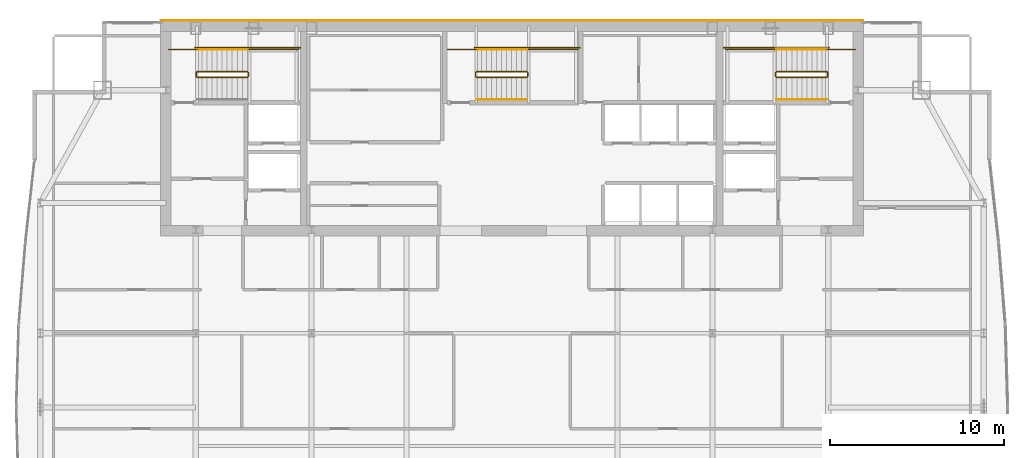
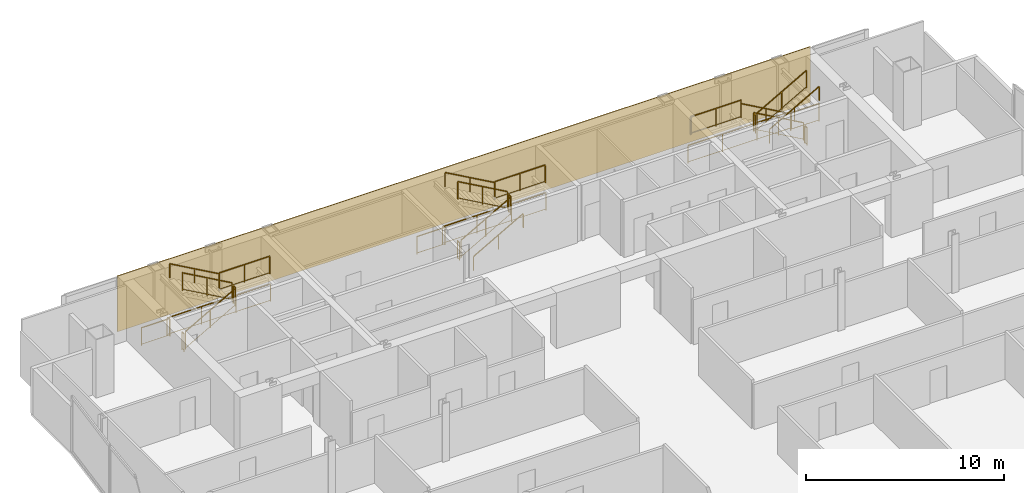
# One storey, part 29 of 29: 26 railings, 1 covering.
"""IFC4 building model written with IfcOpenShell, lengths in metres."""

from ifc_helpers import new_model, si_unit, direction, frame, origin, origin_2d, place, context, subcontext, project, spatial, polyline, rectangle, outline, extrude, material, layer, layer_set, type_object, element, save


model = new_model("IFC4")

# Units and contexts
model_context = context("Model", 3, precision=1e-05, world=origin(), true_north=direction((0.0, 1.0)))
body_context = subcontext(model_context, "Body", "Model", "MODEL_VIEW")
ifc_project = project(units=[si_unit("LENGTHUNIT", "METRE"), si_unit("AREAUNIT", "SQUARE_METRE"), si_unit("VOLUMEUNIT", "CUBIC_METRE"), si_unit("PLANEANGLEUNIT", "RADIAN"), si_unit("MASSUNIT", "GRAM", prefix="KILO")], contexts=[model_context])

# Site, building, storey
site_placement = place(None, origin())
site = spatial("IfcSite", under=ifc_project, at=site_placement, CompositionType="ELEMENT")
building_placement = place(site_placement, origin())
building = spatial("IfcBuilding", under=site, at=building_placement, Name="Khoronbel Lancet Exchange", CompositionType="ELEMENT")
storey_placement = place(building_placement, frame((0.0, 0.0, 246.199951171875)))
storey = spatial("IfcBuildingStorey", under=building, at=storey_placement, Name="L63", CompositionType="ELEMENT", Elevation=246.199951171875)

# Covering
ifc_material_1 = material(Name="Honed Egyptian Limestone & Bronze Rainscreen", Category="masonry")
ifc_layer = layer(ifc_material_1, 0.050048828125, Name="Honed Egyptian Limestone & Bronze Rainscreen")
ifc_layer_set = layer_set([ifc_layer], Name="Honed Egyptian Limestone & Bronze Rainscreen")
covering_type = type_object("IfcCoveringType", Name="COV-CLAD1", PredefinedType="CLADDING", material=ifc_layer_set)
covering_placement = place(storey_placement, origin())
element("IfcCovering", 1, at=covering_placement, inside=storey, type_object=covering_type, Name="Level L63 north rear-core stone and bronze rainscreen cladding", PredefinedType="CLADDING", context=body_context, shape_type="SweptSolid", body=[
    extrude(outline(polyline([(16.199951171875, 53.699951171875), (56.699951171875, 53.699951171875), (56.699951171875, 53.75), (16.199951171875, 53.75), (16.199951171875, 53.699951171875)])), origin(), (0.0, 0.0, 1.0), 3.43994140625),
])

# Railings
ifc_material_2 = material(Name="Painted Steel Balustrade", Category="steel")
railing_type_1 = type_object("IfcRailingType", Name="RL-STG110", PredefinedType="GUARDRAIL", material=ifc_material_2)
railing_1_placement = place(storey_placement, frame((18.300048828125, 50.449951171875, 0.16357421875)))
element("IfcRailing", 2, at=railing_1_placement, inside=storey, type_object=railing_type_1, Name="L63 ST1 stair guard 1", PredefinedType="GUARDRAIL", context=body_context, shape_type="SweptSolid", body=[
    extrude(rectangle(XDim=0.048095703125, YDim=0.048095703125, at=origin_2d()), frame((0.0, 0.0, 1.09619140625), z_axis=(0.870897200241, 0.0, 0.491465224214), x_axis=(0.0, 1.0, 0.0)), (0.0, 0.0, 1.0), 3.329833984375),
    extrude(rectangle(XDim=0.02392578125, YDim=0.02392578125, at=origin_2d()), frame((0.0, 0.0, 0.080078125), z_axis=(0.870897200241, 0.0, 0.491465224214), x_axis=(0.0, 1.0, 0.0)), (0.0, 0.0, 1.0), 3.329833984375),
    extrude(rectangle(XDim=0.0419921875, YDim=0.0419921875, at=origin_2d()), origin(), (0.0, 0.0, 1.0), 1.072021484375),
    extrude(rectangle(XDim=0.0419921875, YDim=0.0419921875, at=origin_2d()), frame((1.449951171875, 0.0, 0.818359375)), (0.0, 0.0, 1.0), 1.072021484375),
    extrude(rectangle(XDim=0.0419921875, YDim=0.0419921875, at=origin_2d()), frame((2.89990234375, 0.0, 1.636474609375)), (0.0, 0.0, 1.0), 1.072021484375),
])
railing_2_placement = place(storey_placement, frame((21.25, 50.5, 1.800048828125)))
element("IfcRailing", 3, at=railing_2_placement, inside=storey, type_object=railing_type_1, Name="L63 ST1 stair guard 2", PredefinedType="GUARDRAIL", context=body_context, shape_type="SweptSolid", body=[
    extrude(rectangle(XDim=0.048095703125, YDim=0.048095703125, at=origin_2d()), frame((0.0, 0.0, 1.09619140625), z_axis=(0.0, 1.0, 0.0), x_axis=(-1.0, 0.0, 0.0)), (0.0, 0.0, 1.0), 0.219970703125),
    extrude(rectangle(XDim=0.02392578125, YDim=0.02392578125, at=origin_2d()), frame((0.0, 0.0, 0.080078125), z_axis=(0.0, 1.0, 0.0), x_axis=(-1.0, 0.0, 0.0)), (0.0, 0.0, 1.0), 0.219970703125),
    extrude(rectangle(XDim=0.0419921875, YDim=0.0419921875, at=origin_2d()), origin(), (0.0, 0.0, 1.0), 1.072021484375),
    extrude(rectangle(XDim=0.0419921875, YDim=0.0419921875, at=origin_2d()), frame((0.0, 0.219970703125, 0.0)), (0.0, 0.0, 1.0), 1.072021484375),
])
railing_3_placement = place(storey_placement, frame((21.199951171875, 52.050048828125, 1.800048828125)))
element("IfcRailing", 4, at=railing_3_placement, inside=storey, type_object=railing_type_1, Name="L63 ST1 stair guard 3", PredefinedType="GUARDRAIL", context=body_context, shape_type="SweptSolid", body=[
    extrude(rectangle(XDim=0.048095703125, YDim=0.048095703125, at=origin_2d()), frame((0.0, 0.0, 1.09619140625), z_axis=(1.0, 0.0, 0.0), x_axis=(0.0, 1.0, 0.0)), (0.0, 0.0, 1.0), 2.949951171875),
    extrude(rectangle(XDim=0.02392578125, YDim=0.02392578125, at=origin_2d()), frame((0.0, 0.0, 0.080078125), z_axis=(1.0, 0.0, 0.0), x_axis=(0.0, 1.0, 0.0)), (0.0, 0.0, 1.0), 2.949951171875),
    extrude(rectangle(XDim=0.0419921875, YDim=0.0419921875, at=origin_2d()), origin(), (0.0, 0.0, 1.0), 1.072021484375),
    extrude(rectangle(XDim=0.0419921875, YDim=0.0419921875, at=origin_2d()), frame((1.47509765625, 0.0, 0.0)), (0.0, 0.0, 1.0), 1.072021484375),
    extrude(rectangle(XDim=0.0419921875, YDim=0.0419921875, at=origin_2d()), frame((2.949951171875, 0.0, 0.0)), (0.0, 0.0, 1.0), 1.072021484375),
])
railing_4_placement = place(storey_placement, frame((21.199951171875, 50.77001953125, 1.963623046875)))
element("IfcRailing", 5, at=railing_4_placement, inside=storey, type_object=railing_type_1, Name="L63 ST1 stair guard 4", PredefinedType="GUARDRAIL", context=body_context, shape_type="SweptSolid", body=[
    extrude(rectangle(XDim=0.048095703125, YDim=0.048095703125, at=origin_2d()), frame((0.0, 0.0, 1.09619140625), z_axis=(-0.870897200241, 0.0, 0.491465224214), x_axis=(0.0, -1.0, 0.0)), (0.0, 0.0, 1.0), 3.329833984375),
    extrude(rectangle(XDim=0.02392578125, YDim=0.02392578125, at=origin_2d()), frame((0.0, 0.0, 0.080078125), z_axis=(-0.870897200241, 0.0, 0.491465224214), x_axis=(0.0, -1.0, 0.0)), (0.0, 0.0, 1.0), 3.329833984375),
    extrude(rectangle(XDim=0.0419921875, YDim=0.0419921875, at=origin_2d()), origin(), (0.0, 0.0, 1.0), 1.072021484375),
    extrude(rectangle(XDim=0.0419921875, YDim=0.0419921875, at=origin_2d()), frame((-1.449951171875, 0.0, 0.818359375)), (0.0, 0.0, 1.0), 1.072021484375),
    extrude(rectangle(XDim=0.0419921875, YDim=0.0419921875, at=origin_2d()), frame((-2.89990234375, 0.0, 1.636474609375)), (0.0, 0.0, 1.0), 1.072021484375),
])
railing_5_placement = place(storey_placement, frame((18.25, 50.5, 0.0)))
element("IfcRailing", 6, at=railing_5_placement, inside=storey, type_object=railing_type_1, Name="L63 ST1 stair guard 5", PredefinedType="GUARDRAIL", context=body_context, shape_type="SweptSolid", body=[
    extrude(rectangle(XDim=0.048095703125, YDim=0.048095703125, at=origin_2d()), frame((0.0, 0.0, 1.09619140625), z_axis=(0.0, 1.0, 0.0), x_axis=(-1.0, 0.0, 0.0)), (0.0, 0.0, 1.0), 0.219970703125),
    extrude(rectangle(XDim=0.02392578125, YDim=0.02392578125, at=origin_2d()), frame((0.0, 0.0, 0.080078125), z_axis=(0.0, 1.0, 0.0), x_axis=(-1.0, 0.0, 0.0)), (0.0, 0.0, 1.0), 0.219970703125),
    extrude(rectangle(XDim=0.0419921875, YDim=0.0419921875, at=origin_2d()), origin(), (0.0, 0.0, 1.0), 1.072021484375),
    extrude(rectangle(XDim=0.0419921875, YDim=0.0419921875, at=origin_2d()), frame((0.0, 0.219970703125, 0.0)), (0.0, 0.0, 1.0), 1.072021484375),
])
railing_6_placement = place(storey_placement, frame((16.64990234375, 52.050048828125, 0.0)))
element("IfcRailing", 7, at=railing_6_placement, inside=storey, type_object=railing_type_1, Name="L63 ST1 stair guard 6", PredefinedType="GUARDRAIL", context=body_context, shape_type="SweptSolid", body=[
    extrude(rectangle(XDim=0.048095703125, YDim=0.048095703125, at=origin_2d()), frame((0.0, 0.0, 1.09619140625), z_axis=(1.0, 0.0, 0.0), x_axis=(0.0, 1.0, 0.0)), (0.0, 0.0, 1.0), 1.650146484375),
    extrude(rectangle(XDim=0.02392578125, YDim=0.02392578125, at=origin_2d()), frame((0.0, 0.0, 0.080078125), z_axis=(1.0, 0.0, 0.0), x_axis=(0.0, 1.0, 0.0)), (0.0, 0.0, 1.0), 1.650146484375),
    extrude(rectangle(XDim=0.0419921875, YDim=0.0419921875, at=origin_2d()), origin(), (0.0, 0.0, 1.0), 1.072021484375),
    extrude(rectangle(XDim=0.0419921875, YDim=0.0419921875, at=origin_2d()), frame((1.650146484375, 0.0, 0.0)), (0.0, 0.0, 1.0), 1.072021484375),
])
railing_7_placement = place(storey_placement, frame((18.199951171875, 52.14990234375, 0.0)))
element("IfcRailing", 8, at=railing_7_placement, inside=storey, type_object=railing_type_1, Name="L63 ST1 stair guard 7", PredefinedType="GUARDRAIL", context=body_context, shape_type="SweptSolid", body=[
    extrude(rectangle(XDim=0.048095703125, YDim=0.048095703125, at=origin_2d()), frame((0.0, 0.0, 1.09619140625), z_axis=(1.0, 0.0, 0.0), x_axis=(0.0, 1.0, 0.0)), (0.0, 0.0, 1.0), 6.050048828125),
    extrude(rectangle(XDim=0.02392578125, YDim=0.02392578125, at=origin_2d()), frame((0.0, 0.0, 0.080078125), z_axis=(1.0, 0.0, 0.0), x_axis=(0.0, 1.0, 0.0)), (0.0, 0.0, 1.0), 6.050048828125),
    extrude(rectangle(XDim=0.0419921875, YDim=0.0419921875, at=origin_2d()), origin(), (0.0, 0.0, 1.0), 1.072021484375),
    extrude(rectangle(XDim=0.0419921875, YDim=0.0419921875, at=origin_2d()), frame((2.0166015625, 0.0, 0.0)), (0.0, 0.0, 1.0), 1.072021484375),
    extrude(rectangle(XDim=0.0419921875, YDim=0.0419921875, at=origin_2d()), frame((4.033447265625, 0.0, 0.0)), (0.0, 0.0, 1.0), 1.072021484375),
    extrude(rectangle(XDim=0.0419921875, YDim=0.0419921875, at=origin_2d()), frame((6.050048828125, 0.0, 0.0)), (0.0, 0.0, 1.0), 1.072021484375),
])
railing_8_placement = place(storey_placement, frame((54.60009765625, 50.77001953125, 0.16357421875)))
element("IfcRailing", 9, at=railing_8_placement, inside=storey, type_object=railing_type_1, Name="L63 ST2 stair guard 1", PredefinedType="GUARDRAIL", context=body_context, shape_type="SweptSolid", body=[
    extrude(rectangle(XDim=0.048095703125, YDim=0.048095703125, at=origin_2d()), frame((0.0, 0.0, 1.09619140625), z_axis=(-0.870914908162, 0.0, 0.491433843708), x_axis=(0.0, -1.0, 0.0)), (0.0, 0.0, 1.0), 3.330078125),
    extrude(rectangle(XDim=0.02392578125, YDim=0.02392578125, at=origin_2d()), frame((0.0, 0.0, 0.080078125), z_axis=(-0.870914908162, 0.0, 0.491433843708), x_axis=(0.0, -1.0, 0.0)), (0.0, 0.0, 1.0), 3.330078125),
    extrude(rectangle(XDim=0.0419921875, YDim=0.0419921875, at=origin_2d()), origin(), (0.0, 0.0, 1.0), 1.072021484375),
    extrude(rectangle(XDim=0.0419921875, YDim=0.0419921875, at=origin_2d()), frame((-1.4501953125, 0.0, 0.818359375)), (0.0, 0.0, 1.0), 1.072021484375),
    extrude(rectangle(XDim=0.0419921875, YDim=0.0419921875, at=origin_2d()), frame((-2.900146484375, 0.0, 1.636474609375)), (0.0, 0.0, 1.0), 1.072021484375),
])
railing_9_placement = place(storey_placement, frame((51.64990234375, 50.719970703125, 1.800048828125)))
element("IfcRailing", 10, at=railing_9_placement, inside=storey, type_object=railing_type_1, Name="L63 ST2 stair guard 2", PredefinedType="GUARDRAIL", context=body_context, shape_type="SweptSolid", body=[
    extrude(rectangle(XDim=0.048095703125, YDim=0.048095703125, at=origin_2d()), frame((0.0, 0.0, 1.09619140625), z_axis=(0.0, -1.0, 0.0), x_axis=(1.0, 0.0, 0.0)), (0.0, 0.0, 1.0), 0.219970703125),
    extrude(rectangle(XDim=0.02392578125, YDim=0.02392578125, at=origin_2d()), frame((0.0, 0.0, 0.080078125), z_axis=(0.0, -1.0, 0.0), x_axis=(1.0, 0.0, 0.0)), (0.0, 0.0, 1.0), 0.219970703125),
    extrude(rectangle(XDim=0.0419921875, YDim=0.0419921875, at=origin_2d()), origin(), (0.0, 0.0, 1.0), 1.072021484375),
    extrude(rectangle(XDim=0.0419921875, YDim=0.0419921875, at=origin_2d()), frame((0.0, -0.219970703125, 0.0)), (0.0, 0.0, 1.0), 1.072021484375),
])
railing_10_placement = place(storey_placement, frame((51.699951171875, 52.050048828125, 1.800048828125)))
element("IfcRailing", 11, at=railing_10_placement, inside=storey, type_object=railing_type_1, Name="L63 ST2 stair guard 3", PredefinedType="GUARDRAIL", context=body_context, shape_type="SweptSolid", body=[
    extrude(rectangle(XDim=0.048095703125, YDim=0.048095703125, at=origin_2d()), frame((0.0, 0.0, 1.09619140625), z_axis=(-1.0, 0.0, 0.0), x_axis=(0.0, -1.0, 0.0)), (0.0, 0.0, 1.0), 2.949951171875),
    extrude(rectangle(XDim=0.02392578125, YDim=0.02392578125, at=origin_2d()), frame((0.0, 0.0, 0.080078125), z_axis=(-1.0, 0.0, 0.0), x_axis=(0.0, -1.0, 0.0)), (0.0, 0.0, 1.0), 2.949951171875),
    extrude(rectangle(XDim=0.0419921875, YDim=0.0419921875, at=origin_2d()), origin(), (0.0, 0.0, 1.0), 1.072021484375),
    extrude(rectangle(XDim=0.0419921875, YDim=0.0419921875, at=origin_2d()), frame((-1.47509765625, 0.0, 0.0)), (0.0, 0.0, 1.0), 1.072021484375),
    extrude(rectangle(XDim=0.0419921875, YDim=0.0419921875, at=origin_2d()), frame((-2.949951171875, 0.0, 0.0)), (0.0, 0.0, 1.0), 1.072021484375),
])
railing_11_placement = place(storey_placement, frame((51.699951171875, 50.449951171875, 1.963623046875)))
element("IfcRailing", 12, at=railing_11_placement, inside=storey, type_object=railing_type_1, Name="L63 ST2 stair guard 4", PredefinedType="GUARDRAIL", context=body_context, shape_type="SweptSolid", body=[
    extrude(rectangle(XDim=0.048095703125, YDim=0.048095703125, at=origin_2d()), frame((0.0, 0.0, 1.09619140625), z_axis=(0.870914908162, 0.0, 0.491433843708), x_axis=(0.0, 1.0, 0.0)), (0.0, 0.0, 1.0), 3.330078125),
    extrude(rectangle(XDim=0.02392578125, YDim=0.02392578125, at=origin_2d()), frame((0.0, 0.0, 0.080078125), z_axis=(0.870914908162, 0.0, 0.491433843708), x_axis=(0.0, 1.0, 0.0)), (0.0, 0.0, 1.0), 3.330078125),
    extrude(rectangle(XDim=0.0419921875, YDim=0.0419921875, at=origin_2d()), origin(), (0.0, 0.0, 1.0), 1.072021484375),
    extrude(rectangle(XDim=0.0419921875, YDim=0.0419921875, at=origin_2d()), frame((1.4501953125, 0.0, 0.818359375)), (0.0, 0.0, 1.0), 1.072021484375),
    extrude(rectangle(XDim=0.0419921875, YDim=0.0419921875, at=origin_2d()), frame((2.900146484375, 0.0, 1.636474609375)), (0.0, 0.0, 1.0), 1.072021484375),
])
railing_12_placement = place(storey_placement, frame((54.64990234375, 50.719970703125, 0.0)))
element("IfcRailing", 13, at=railing_12_placement, inside=storey, type_object=railing_type_1, Name="L63 ST2 stair guard 5", PredefinedType="GUARDRAIL", context=body_context, shape_type="SweptSolid", body=[
    extrude(rectangle(XDim=0.048095703125, YDim=0.048095703125, at=origin_2d()), frame((0.0, 0.0, 1.09619140625), z_axis=(0.0, -1.0, 0.0), x_axis=(1.0, 0.0, 0.0)), (0.0, 0.0, 1.0), 0.219970703125),
    extrude(rectangle(XDim=0.02392578125, YDim=0.02392578125, at=origin_2d()), frame((0.0, 0.0, 0.080078125), z_axis=(0.0, -1.0, 0.0), x_axis=(1.0, 0.0, 0.0)), (0.0, 0.0, 1.0), 0.219970703125),
    extrude(rectangle(XDim=0.0419921875, YDim=0.0419921875, at=origin_2d()), origin(), (0.0, 0.0, 1.0), 1.072021484375),
    extrude(rectangle(XDim=0.0419921875, YDim=0.0419921875, at=origin_2d()), frame((0.0, -0.219970703125, 0.0)), (0.0, 0.0, 1.0), 1.072021484375),
])
railing_13_placement = place(storey_placement, frame((56.25, 52.050048828125, 0.0)))
element("IfcRailing", 14, at=railing_13_placement, inside=storey, type_object=railing_type_1, Name="L63 ST2 stair guard 6", PredefinedType="GUARDRAIL", context=body_context, shape_type="SweptSolid", body=[
    extrude(rectangle(XDim=0.048095703125, YDim=0.048095703125, at=origin_2d()), frame((0.0, 0.0, 1.09619140625), z_axis=(-1.0, 0.0, 0.0), x_axis=(0.0, -1.0, 0.0)), (0.0, 0.0, 1.0), 1.64990234375),
    extrude(rectangle(XDim=0.02392578125, YDim=0.02392578125, at=origin_2d()), frame((0.0, 0.0, 0.080078125), z_axis=(-1.0, 0.0, 0.0), x_axis=(0.0, -1.0, 0.0)), (0.0, 0.0, 1.0), 1.64990234375),
    extrude(rectangle(XDim=0.0419921875, YDim=0.0419921875, at=origin_2d()), origin(), (0.0, 0.0, 1.0), 1.072021484375),
    extrude(rectangle(XDim=0.0419921875, YDim=0.0419921875, at=origin_2d()), frame((-1.64990234375, 0.0, 0.0)), (0.0, 0.0, 1.0), 1.072021484375),
])
railing_14_placement = place(storey_placement, frame((54.699951171875, 52.14990234375, 0.0)))
element("IfcRailing", 15, at=railing_14_placement, inside=storey, type_object=railing_type_1, Name="L63 ST2 stair guard 7", PredefinedType="GUARDRAIL", context=body_context, shape_type="SweptSolid", body=[
    extrude(rectangle(XDim=0.048095703125, YDim=0.048095703125, at=origin_2d()), frame((0.0, 0.0, 1.09619140625), z_axis=(-1.0, 0.0, 0.0), x_axis=(0.0, -1.0, 0.0)), (0.0, 0.0, 1.0), 6.050048828125),
    extrude(rectangle(XDim=0.02392578125, YDim=0.02392578125, at=origin_2d()), frame((0.0, 0.0, 0.080078125), z_axis=(-1.0, 0.0, 0.0), x_axis=(0.0, -1.0, 0.0)), (0.0, 0.0, 1.0), 6.050048828125),
    extrude(rectangle(XDim=0.0419921875, YDim=0.0419921875, at=origin_2d()), origin(), (0.0, 0.0, 1.0), 1.072021484375),
    extrude(rectangle(XDim=0.0419921875, YDim=0.0419921875, at=origin_2d()), frame((-2.0166015625, 0.0, 0.0)), (0.0, 0.0, 1.0), 1.072021484375),
    extrude(rectangle(XDim=0.0419921875, YDim=0.0419921875, at=origin_2d()), frame((-4.033447265625, 0.0, 0.0)), (0.0, 0.0, 1.0), 1.072021484375),
    extrude(rectangle(XDim=0.0419921875, YDim=0.0419921875, at=origin_2d()), frame((-6.050048828125, 0.0, 0.0)), (0.0, 0.0, 1.0), 1.072021484375),
])
railing_15_placement = place(storey_placement, frame((34.39990234375, 50.449951171875, 0.16357421875)))
element("IfcRailing", 16, at=railing_15_placement, inside=storey, type_object=railing_type_1, Name="L63 ST3 stair guard 1", PredefinedType="GUARDRAIL", context=body_context, shape_type="SweptSolid", body=[
    extrude(rectangle(XDim=0.048095703125, YDim=0.048095703125, at=origin_2d()), frame((0.0, 0.0, 1.09619140625), z_axis=(0.870914908162, 0.0, 0.491433843708), x_axis=(0.0, 1.0, 0.0)), (0.0, 0.0, 1.0), 3.330078125),
    extrude(rectangle(XDim=0.02392578125, YDim=0.02392578125, at=origin_2d()), frame((0.0, 0.0, 0.080078125), z_axis=(0.870914908162, 0.0, 0.491433843708), x_axis=(0.0, 1.0, 0.0)), (0.0, 0.0, 1.0), 3.330078125),
    extrude(rectangle(XDim=0.0419921875, YDim=0.0419921875, at=origin_2d()), origin(), (0.0, 0.0, 1.0), 1.072021484375),
    extrude(rectangle(XDim=0.0419921875, YDim=0.0419921875, at=origin_2d()), frame((1.4501953125, 0.0, 0.818359375)), (0.0, 0.0, 1.0), 1.072021484375),
    extrude(rectangle(XDim=0.0419921875, YDim=0.0419921875, at=origin_2d()), frame((2.900146484375, 0.0, 1.636474609375)), (0.0, 0.0, 1.0), 1.072021484375),
])
railing_16_placement = place(storey_placement, frame((37.35009765625, 50.5, 1.800048828125)))
element("IfcRailing", 17, at=railing_16_placement, inside=storey, type_object=railing_type_1, Name="L63 ST3 stair guard 2", PredefinedType="GUARDRAIL", context=body_context, shape_type="SweptSolid", body=[
    extrude(rectangle(XDim=0.048095703125, YDim=0.048095703125, at=origin_2d()), frame((0.0, 0.0, 1.09619140625), z_axis=(0.0, 1.0, 0.0), x_axis=(-1.0, 0.0, 0.0)), (0.0, 0.0, 1.0), 0.219970703125),
    extrude(rectangle(XDim=0.02392578125, YDim=0.02392578125, at=origin_2d()), frame((0.0, 0.0, 0.080078125), z_axis=(0.0, 1.0, 0.0), x_axis=(-1.0, 0.0, 0.0)), (0.0, 0.0, 1.0), 0.219970703125),
    extrude(rectangle(XDim=0.0419921875, YDim=0.0419921875, at=origin_2d()), origin(), (0.0, 0.0, 1.0), 1.072021484375),
    extrude(rectangle(XDim=0.0419921875, YDim=0.0419921875, at=origin_2d()), frame((0.0, 0.219970703125, 0.0)), (0.0, 0.0, 1.0), 1.072021484375),
])
railing_17_placement = place(storey_placement, frame((37.300048828125, 52.050048828125, 1.800048828125)))
element("IfcRailing", 18, at=railing_17_placement, inside=storey, type_object=railing_type_1, Name="L63 ST3 stair guard 3", PredefinedType="GUARDRAIL", context=body_context, shape_type="SweptSolid", body=[
    extrude(rectangle(XDim=0.048095703125, YDim=0.048095703125, at=origin_2d()), frame((0.0, 0.0, 1.09619140625), z_axis=(1.0, 0.0, 0.0), x_axis=(0.0, 1.0, 0.0)), (0.0, 0.0, 1.0), 2.949951171875),
    extrude(rectangle(XDim=0.02392578125, YDim=0.02392578125, at=origin_2d()), frame((0.0, 0.0, 0.080078125), z_axis=(1.0, 0.0, 0.0), x_axis=(0.0, 1.0, 0.0)), (0.0, 0.0, 1.0), 2.949951171875),
    extrude(rectangle(XDim=0.0419921875, YDim=0.0419921875, at=origin_2d()), origin(), (0.0, 0.0, 1.0), 1.072021484375),
    extrude(rectangle(XDim=0.0419921875, YDim=0.0419921875, at=origin_2d()), frame((1.47509765625, 0.0, 0.0)), (0.0, 0.0, 1.0), 1.072021484375),
    extrude(rectangle(XDim=0.0419921875, YDim=0.0419921875, at=origin_2d()), frame((2.949951171875, 0.0, 0.0)), (0.0, 0.0, 1.0), 1.072021484375),
])
railing_18_placement = place(storey_placement, frame((37.300048828125, 50.77001953125, 1.963623046875)))
element("IfcRailing", 19, at=railing_18_placement, inside=storey, type_object=railing_type_1, Name="L63 ST3 stair guard 4", PredefinedType="GUARDRAIL", context=body_context, shape_type="SweptSolid", body=[
    extrude(rectangle(XDim=0.048095703125, YDim=0.048095703125, at=origin_2d()), frame((0.0, 0.0, 1.09619140625), z_axis=(-0.870914908162, 0.0, 0.491433843708), x_axis=(0.0, -1.0, 0.0)), (0.0, 0.0, 1.0), 3.330078125),
    extrude(rectangle(XDim=0.02392578125, YDim=0.02392578125, at=origin_2d()), frame((0.0, 0.0, 0.080078125), z_axis=(-0.870914908162, 0.0, 0.491433843708), x_axis=(0.0, -1.0, 0.0)), (0.0, 0.0, 1.0), 3.330078125),
    extrude(rectangle(XDim=0.0419921875, YDim=0.0419921875, at=origin_2d()), origin(), (0.0, 0.0, 1.0), 1.072021484375),
    extrude(rectangle(XDim=0.0419921875, YDim=0.0419921875, at=origin_2d()), frame((-1.4501953125, 0.0, 0.818359375)), (0.0, 0.0, 1.0), 1.072021484375),
    extrude(rectangle(XDim=0.0419921875, YDim=0.0419921875, at=origin_2d()), frame((-2.900146484375, 0.0, 1.636474609375)), (0.0, 0.0, 1.0), 1.072021484375),
])
railing_19_placement = place(storey_placement, frame((34.35009765625, 50.5, 0.0)))
element("IfcRailing", 20, at=railing_19_placement, inside=storey, type_object=railing_type_1, Name="L63 ST3 stair guard 5", PredefinedType="GUARDRAIL", context=body_context, shape_type="SweptSolid", body=[
    extrude(rectangle(XDim=0.048095703125, YDim=0.048095703125, at=origin_2d()), frame((0.0, 0.0, 1.09619140625), z_axis=(0.0, 1.0, 0.0), x_axis=(-1.0, 0.0, 0.0)), (0.0, 0.0, 1.0), 0.219970703125),
    extrude(rectangle(XDim=0.02392578125, YDim=0.02392578125, at=origin_2d()), frame((0.0, 0.0, 0.080078125), z_axis=(0.0, 1.0, 0.0), x_axis=(-1.0, 0.0, 0.0)), (0.0, 0.0, 1.0), 0.219970703125),
    extrude(rectangle(XDim=0.0419921875, YDim=0.0419921875, at=origin_2d()), origin(), (0.0, 0.0, 1.0), 1.072021484375),
    extrude(rectangle(XDim=0.0419921875, YDim=0.0419921875, at=origin_2d()), frame((0.0, 0.219970703125, 0.0)), (0.0, 0.0, 1.0), 1.072021484375),
])
railing_20_placement = place(storey_placement, frame((32.75, 52.050048828125, 0.0)))
element("IfcRailing", 21, at=railing_20_placement, inside=storey, type_object=railing_type_1, Name="L63 ST3 stair guard 6", PredefinedType="GUARDRAIL", context=body_context, shape_type="SweptSolid", body=[
    extrude(rectangle(XDim=0.048095703125, YDim=0.048095703125, at=origin_2d()), frame((0.0, 0.0, 1.09619140625), z_axis=(1.0, 0.0, 0.0), x_axis=(0.0, 1.0, 0.0)), (0.0, 0.0, 1.0), 1.64990234375),
    extrude(rectangle(XDim=0.02392578125, YDim=0.02392578125, at=origin_2d()), frame((0.0, 0.0, 0.080078125), z_axis=(1.0, 0.0, 0.0), x_axis=(0.0, 1.0, 0.0)), (0.0, 0.0, 1.0), 1.64990234375),
    extrude(rectangle(XDim=0.0419921875, YDim=0.0419921875, at=origin_2d()), origin(), (0.0, 0.0, 1.0), 1.072021484375),
    extrude(rectangle(XDim=0.0419921875, YDim=0.0419921875, at=origin_2d()), frame((1.64990234375, 0.0, 0.0)), (0.0, 0.0, 1.0), 1.072021484375),
])
railing_21_placement = place(storey_placement, frame((34.300048828125, 52.14990234375, 0.0)))
element("IfcRailing", 22, at=railing_21_placement, inside=storey, type_object=railing_type_1, Name="L63 ST3 stair guard 7", PredefinedType="GUARDRAIL", context=body_context, shape_type="SweptSolid", body=[
    extrude(rectangle(XDim=0.048095703125, YDim=0.048095703125, at=origin_2d()), frame((0.0, 0.0, 1.09619140625), z_axis=(1.0, 0.0, 0.0), x_axis=(0.0, 1.0, 0.0)), (0.0, 0.0, 1.0), 6.050048828125),
    extrude(rectangle(XDim=0.02392578125, YDim=0.02392578125, at=origin_2d()), frame((0.0, 0.0, 0.080078125), z_axis=(1.0, 0.0, 0.0), x_axis=(0.0, 1.0, 0.0)), (0.0, 0.0, 1.0), 6.050048828125),
    extrude(rectangle(XDim=0.0419921875, YDim=0.0419921875, at=origin_2d()), origin(), (0.0, 0.0, 1.0), 1.072021484375),
    extrude(rectangle(XDim=0.0419921875, YDim=0.0419921875, at=origin_2d()), frame((2.0166015625, 0.0, 0.0)), (0.0, 0.0, 1.0), 1.072021484375),
    extrude(rectangle(XDim=0.0419921875, YDim=0.0419921875, at=origin_2d()), frame((4.033447265625, 0.0, 0.0)), (0.0, 0.0, 1.0), 1.072021484375),
    extrude(rectangle(XDim=0.0419921875, YDim=0.0419921875, at=origin_2d()), frame((6.050048828125, 0.0, 0.0)), (0.0, 0.0, 1.0), 1.072021484375),
])
ifc_material_3 = material(Name="Brushed Stainless Steel 316", Category="steel")
railing_type_2 = type_object("IfcRailingType", Name="RL-STH92", PredefinedType="HANDRAIL", material=ifc_material_3)
railing_22_placement = place(storey_placement, frame((21.199951171875, 52.050048828125, 1.963623046875)))
element("IfcRailing", 23, at=railing_22_placement, inside=storey, type_object=railing_type_2, Name="L63 ST1 stair handrail 2", PredefinedType="HANDRAIL", context=body_context, shape_type="SweptSolid", body=[
    extrude(rectangle(XDim=0.048095703125, YDim=0.048095703125, at=origin_2d()), frame((0.0, 0.0, 0.8759765625), z_axis=(-0.870897200241, 0.0, 0.491465224214), x_axis=(0.0, -1.0, 0.0)), (0.0, 0.0, 1.0), 3.329833984375),
    extrude(rectangle(XDim=0.0419921875, YDim=0.0419921875, at=origin_2d()), origin(), (0.0, 0.0, 1.0), 0.851806640625),
    extrude(rectangle(XDim=0.0419921875, YDim=0.0419921875, at=origin_2d()), frame((-1.449951171875, 0.0, 0.818359375)), (0.0, 0.0, 1.0), 0.851806640625),
    extrude(rectangle(XDim=0.0419921875, YDim=0.0419921875, at=origin_2d()), frame((-2.89990234375, 0.0, 1.636474609375)), (0.0, 0.0, 1.0), 0.851806640625),
])
railing_23_placement = place(storey_placement, frame((54.60009765625, 52.050048828125, 0.16357421875)))
element("IfcRailing", 24, at=railing_23_placement, inside=storey, type_object=railing_type_2, Name="L63 ST2 stair handrail 1", PredefinedType="HANDRAIL", context=body_context, shape_type="SweptSolid", body=[
    extrude(rectangle(XDim=0.048095703125, YDim=0.048095703125, at=origin_2d()), frame((0.0, 0.0, 0.8759765625), z_axis=(-0.870914908162, 0.0, 0.491433843708), x_axis=(0.0, -1.0, 0.0)), (0.0, 0.0, 1.0), 3.330078125),
    extrude(rectangle(XDim=0.0419921875, YDim=0.0419921875, at=origin_2d()), origin(), (0.0, 0.0, 1.0), 0.851806640625),
    extrude(rectangle(XDim=0.0419921875, YDim=0.0419921875, at=origin_2d()), frame((-1.4501953125, 0.0, 0.818359375)), (0.0, 0.0, 1.0), 0.851806640625),
    extrude(rectangle(XDim=0.0419921875, YDim=0.0419921875, at=origin_2d()), frame((-2.900146484375, 0.0, 1.636474609375)), (0.0, 0.0, 1.0), 0.851806640625),
])
for number, where, name in (
    (25, (51.699951171875, 49.169921875, 1.963623046875), "L63 ST2 stair handrail 2"),
    (26, (34.39990234375, 49.169921875, 0.16357421875), "L63 ST3 stair handrail 1"),
):
    element("IfcRailing", number, at=place(storey_placement, frame(where)), inside=storey, type_object=railing_type_2, Name=name, PredefinedType="HANDRAIL", context=body_context, shape_type="SweptSolid", body=[
        extrude(rectangle(XDim=0.048095703125, YDim=0.048095703125, at=origin_2d()), frame((0.0, 0.0, 0.8759765625), z_axis=(0.870914908162, 0.0, 0.491433843708), x_axis=(0.0, 1.0, 0.0)), (0.0, 0.0, 1.0), 3.330078125),
        extrude(rectangle(XDim=0.0419921875, YDim=0.0419921875, at=origin_2d()), origin(), (0.0, 0.0, 1.0), 0.851806640625),
        extrude(rectangle(XDim=0.0419921875, YDim=0.0419921875, at=origin_2d()), frame((1.4501953125, 0.0, 0.818359375)), (0.0, 0.0, 1.0), 0.851806640625),
        extrude(rectangle(XDim=0.0419921875, YDim=0.0419921875, at=origin_2d()), frame((2.900146484375, 0.0, 1.636474609375)), (0.0, 0.0, 1.0), 0.851806640625),
    ])
railing_24_placement = place(storey_placement, frame((37.300048828125, 52.050048828125, 1.963623046875)))
element("IfcRailing", 27, at=railing_24_placement, inside=storey, type_object=railing_type_2, Name="L63 ST3 stair handrail 2", PredefinedType="HANDRAIL", context=body_context, shape_type="SweptSolid", body=[
    extrude(rectangle(XDim=0.048095703125, YDim=0.048095703125, at=origin_2d()), frame((0.0, 0.0, 0.8759765625), z_axis=(-0.870914908162, 0.0, 0.491433843708), x_axis=(0.0, -1.0, 0.0)), (0.0, 0.0, 1.0), 3.330078125),
    extrude(rectangle(XDim=0.0419921875, YDim=0.0419921875, at=origin_2d()), origin(), (0.0, 0.0, 1.0), 0.851806640625),
    extrude(rectangle(XDim=0.0419921875, YDim=0.0419921875, at=origin_2d()), frame((-1.4501953125, 0.0, 0.818359375)), (0.0, 0.0, 1.0), 0.851806640625),
    extrude(rectangle(XDim=0.0419921875, YDim=0.0419921875, at=origin_2d()), frame((-2.900146484375, 0.0, 1.636474609375)), (0.0, 0.0, 1.0), 0.851806640625),
])

save(model, "model.ifc")
